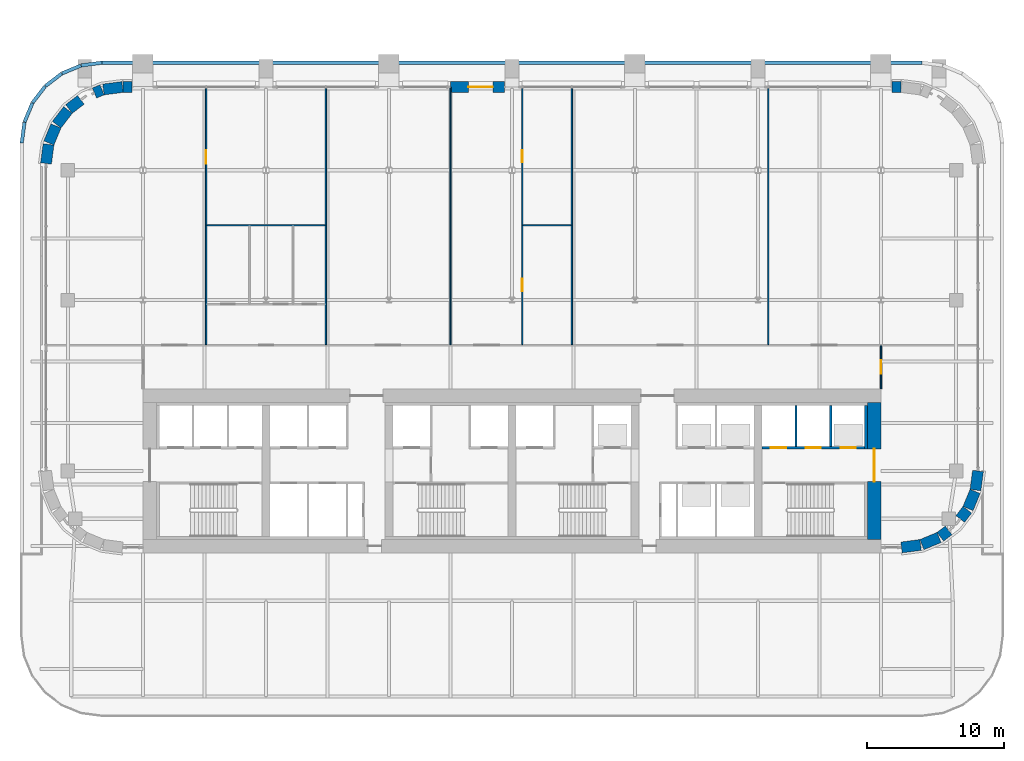
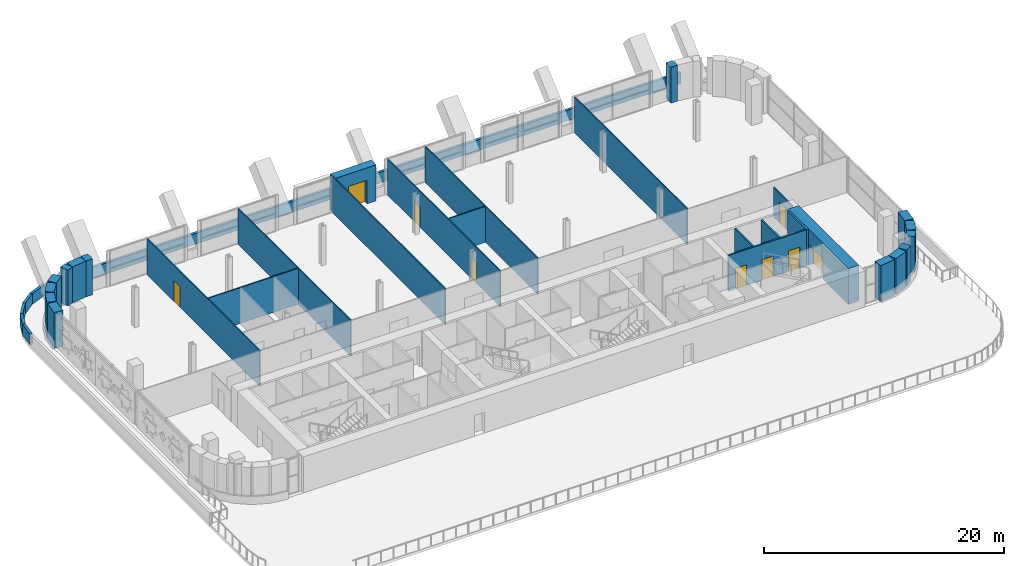
# One storey, part 17 of 26: 36 walls, 9 doors, 9 openings.
"""IFC4 building model written with IfcOpenShell, lengths in metres."""

from ifc_helpers import new_model, si_unit, direction, frame, frame_2d, origin, place, context, subcontext, project, spatial, rectangle, extrude, material, layer, layer_set, type_object, element, fill, save


model = new_model("IFC4")

# Units and contexts
model_context = context("Model", 3, precision=1e-05, world=origin(), true_north=direction((0.0, 1.0)))
body_context = subcontext(model_context, "Body", "Model", "MODEL_VIEW")
ifc_project = project(units=[si_unit("LENGTHUNIT", "METRE"), si_unit("AREAUNIT", "SQUARE_METRE"), si_unit("VOLUMEUNIT", "CUBIC_METRE"), si_unit("PLANEANGLEUNIT", "RADIAN"), si_unit("MASSUNIT", "GRAM", prefix="KILO")], contexts=[model_context])

# Site, building, storey
site_placement = place(None, origin())
site = spatial("IfcSite", under=ifc_project, at=site_placement, CompositionType="ELEMENT")
building_placement = place(site_placement, origin())
building = spatial("IfcBuilding", under=site, at=building_placement, Name="Zellij Exchange Tower", CompositionType="ELEMENT")
storey_placement = place(building_placement, frame((0.0, 0.0, 156.5)))
storey = spatial("IfcBuildingStorey", under=building, at=storey_placement, Name="L35", CompositionType="ELEMENT", Elevation=156.5)

# Walls
ifc_material_1 = material(Name="Concrete C30/37", Category="concrete")
ifc_layer_1 = layer(ifc_material_1, 0.199951171875)
ifc_layer_set_1 = layer_set([ifc_layer_1], Name="Concrete C30/37")
wall_type_1 = type_object("IfcWallType", Name="CORE-LW 200 C30/37", PredefinedType="SHEAR", material=ifc_layer_set_1)
wall_1_placement = place(storey_placement, frame((25.89990234375, -6.375, 0.0), z_axis=(0.0, 0.0, 1.0), x_axis=(0.0, 1.0, 0.0)))
element("IfcWall", 1, at=wall_1_placement, inside=storey, type_object=wall_type_1, Name="Core wall lining end e.1 L35", PredefinedType="SHEAR", context=body_context, shape_type="SweptSolid", body=[
    extrude(rectangle(XDim=3.175048828125, YDim=0.199951171875, at=frame_2d((1.58740234375, 0.0))), origin(), (0.0, 0.0, 1.0), 3.64990234375),
])
ifc_material_2 = material(Name="Gypsum shaft wall system")
ifc_layer_2 = layer(ifc_material_2, 0.14990234375)
ifc_layer_set_2 = layer_set([ifc_layer_2], Name="Gypsum shaft wall system")
wall_type_2 = type_object("IfcWallType", Name="CORE-PW 150 Lift shaft wall", PredefinedType="PARTITIONING", material=ifc_layer_set_2)
for number, where, z_axis, x_axis, name in (
    (2, (20.77490234375, -6.22509765625, 0.0), (0.0, 0.0, 1.0), (0.0, 1.0, 0.0), "Lift shaft wall L35"),
    (3, (23.324951171875, -6.22509765625, 0.0), (0.0, 0.0, 1.0), (0.0, 1.0, 0.0), "Lift shaft wall L35"),
):
    element("IfcWall", number, at=place(storey_placement, frame(where, z_axis=z_axis, x_axis=x_axis)), inside=storey, type_object=wall_type_2, Name=name, PredefinedType="PARTITIONING", context=body_context, shape_type="SweptSolid", body=[
        extrude(rectangle(XDim=3.025146484375, YDim=0.14990234375, at=frame_2d((1.5126953125, 0.0))), origin(), (0.0, 0.0, 1.0), 3.64990234375),
    ])

# Wall, openings, doors
wall_2_placement = place(storey_placement, frame((18.300048828125, -6.300048828125, 0.0), z_axis=(0.0, 0.0, 1.0), x_axis=(1.0, 0.0, 0.0)))
wall_2 = element("IfcWall", 4, at=wall_2_placement, inside=storey, type_object=wall_type_2, Name="Lift shaft wall L35", PredefinedType="PARTITIONING", context=body_context, shape_type="SweptSolid", body=[
    extrude(rectangle(XDim=7.5, YDim=0.14990234375, at=frame_2d((3.75, 0.0))), origin(), (0.0, 0.0, 1.0), 3.64990234375),
])
opening_1_placement = place(wall_2_placement, frame((0.64990234375, 0.0, 0.0)))
opening_1 = element("IfcOpeningElement", 5, at=opening_1_placement, cuts=wall_2, Name="Opening CA-19.29", PredefinedType="OPENING", context=body_context, shape_type="SweptSolid", body=[
    extrude(rectangle(XDim=1.10009765625, YDim=2.10009765625, at=frame_2d((0.550048828125, 1.050048828125))), frame((0.0, 0.0869140625, 0.0), z_axis=(0.0, -1.0, 0.0), x_axis=(1.0, 0.0, 0.0)), (0.0, 0.0, 1.0), 0.173828125),
])
opening_2_placement = place(wall_2_placement, frame((3.199951171875, 0.0, 0.0)))
opening_2 = element("IfcOpeningElement", 6, at=opening_2_placement, cuts=wall_2, Name="Opening CA-19.30", PredefinedType="OPENING", context=body_context, shape_type="SweptSolid", body=[
    extrude(rectangle(XDim=1.10009765625, YDim=2.10009765625, at=frame_2d((0.550048828125, 1.050048828125))), frame((0.0, 0.0869140625, 0.0), z_axis=(0.0, -1.0, 0.0), x_axis=(1.0, 0.0, 0.0)), (0.0, 0.0, 1.0), 0.173828125),
])
opening_3_placement = place(wall_2_placement, frame((5.75, 0.0, 0.0)))
opening_3 = element("IfcOpeningElement", 7, at=opening_3_placement, cuts=wall_2, Name="Opening CA-19.31", PredefinedType="OPENING", context=body_context, shape_type="SweptSolid", body=[
    extrude(rectangle(XDim=1.10009765625, YDim=2.10009765625, at=frame_2d((0.550048828125, 1.050048828125))), frame((0.0, 0.0869140625, 0.0), z_axis=(0.0, -1.0, 0.0), x_axis=(1.0, 0.0, 0.0)), (0.0, 0.0, 1.0), 0.173828125),
])
ifc_material_3 = material(Name="Hollow metal fire door")
door_type_1 = type_object("IfcDoorType", Name="CORE-D LD Lift landing door 1100x2100 1.5 HR", OperationType="NOTDEFINED", PredefinedType="DOOR", material=ifc_material_3)
door_1_placement = place(opening_1_placement, origin())
door_1 = element("IfcDoor", 8, at=door_1_placement, inside=storey, type_object=door_type_1, Name="Lift landing door CA-19.29", OperationType="SLIDING_TO_LEFT", OverallHeight=2.10009765625, OverallWidth=1.10009765625, PredefinedType="DOOR", context=body_context, shape_type="SweptSolid", body=[
    extrude(rectangle(XDim=1.10009765625, YDim=2.10009765625, at=frame_2d((0.550048828125, 1.050048828125))), frame((0.0, 0.02490234375, 0.0), z_axis=(0.0, -1.0, 0.0), x_axis=(1.0, 0.0, 0.0)), (0.0, 0.0, 1.0), 0.050048828125),
])
fill(opening_1, door_1)
door_2_placement = place(opening_2_placement, origin())
door_2 = element("IfcDoor", 9, at=door_2_placement, inside=storey, type_object=door_type_1, Name="Lift landing door CA-19.30", OperationType="SLIDING_TO_RIGHT", OverallHeight=2.10009765625, OverallWidth=1.10009765625, PredefinedType="DOOR", context=body_context, shape_type="SweptSolid", body=[
    extrude(rectangle(XDim=1.10009765625, YDim=2.10009765625, at=frame_2d((0.550048828125, 1.050048828125))), frame((0.0, 0.02490234375, 0.0), z_axis=(0.0, -1.0, 0.0), x_axis=(1.0, 0.0, 0.0)), (0.0, 0.0, 1.0), 0.050048828125),
])
fill(opening_2, door_2)
door_3_placement = place(opening_3_placement, origin())
door_3 = element("IfcDoor", 10, at=door_3_placement, inside=storey, type_object=door_type_1, Name="Lift landing door CA-19.31", OperationType="SLIDING_TO_LEFT", OverallHeight=2.10009765625, OverallWidth=1.10009765625, PredefinedType="DOOR", context=body_context, shape_type="SweptSolid", body=[
    extrude(rectangle(XDim=1.10009765625, YDim=2.10009765625, at=frame_2d((0.550048828125, 1.050048828125))), frame((0.0, 0.02490234375, 0.0), z_axis=(0.0, -1.0, 0.0), x_axis=(1.0, 0.0, 0.0)), (0.0, 0.0, 1.0), 0.050048828125),
])
fill(opening_3, door_3)

# Wall, opening, door
ifc_material_4 = material(Name="Concrete C70/85", Category="concrete")
ifc_layer_3 = layer(ifc_material_4, 1.0)
ifc_layer_set_3 = layer_set([ifc_layer_3], Name="Concrete C70/85")
wall_type_3 = type_object("IfcWallType", Name="CORE-SW 1000 C70/85", PredefinedType="SHEAR", material=ifc_layer_set_3)
wall_3_placement = place(storey_placement, frame((26.5, -13.0, 0.0), z_axis=(0.0, 0.0, 1.0), x_axis=(0.0, 1.0, 0.0)))
wall_3 = element("IfcWall", 11, at=wall_3_placement, inside=storey, type_object=wall_type_3, Name="Core shear wall end e L35", PredefinedType="SHEAR", context=body_context, shape_type="SweptSolid", body=[
    extrude(rectangle(XDim=10.0, YDim=1.0, at=frame_2d((5.0, 0.0))), origin(), (0.0, 0.0, 1.0), 3.64990234375),
])
opening_4_placement = place(wall_3_placement, frame((4.2119140625, 0.0, 0.0)))
opening_4 = element("IfcOpeningElement", 12, at=opening_4_placement, cuts=wall_3, Name="Opening CA-19.32", PredefinedType="OPENING", context=body_context, shape_type="SweptSolid", body=[
    extrude(rectangle(XDim=2.39990234375, YDim=2.10009765625, at=frame_2d((1.199951171875, 1.050048828125))), frame((0.0, 0.511962890625, 0.0), z_axis=(0.0, -1.0, 0.0), x_axis=(1.0, 0.0, 0.0)), (0.0, 0.0, 1.0), 1.02392578125),
])
door_type_2 = type_object("IfcDoorType", Name="CORE-D CE Core entrance door 2400x2100 20 MIN", OperationType="NOTDEFINED", PredefinedType="DOOR", material=ifc_material_3)
door_4_placement = place(opening_4_placement, origin())
door_4 = element("IfcDoor", 13, at=door_4_placement, inside=storey, type_object=door_type_2, Name="Core entrance door CA-19.32", OperationType="DOUBLE_DOOR_SINGLE_SWING", OverallHeight=2.10009765625, OverallWidth=2.39990234375, PredefinedType="DOOR", context=body_context, shape_type="SweptSolid", body=[
    extrude(rectangle(XDim=2.39990234375, YDim=2.10009765625, at=frame_2d((1.199951171875, 1.050048828125))), frame((0.0, 0.02490234375, 0.0), z_axis=(0.0, -1.0, 0.0), x_axis=(1.0, 0.0, 0.0)), (0.0, 0.0, 1.0), 0.050048828125),
])
fill(opening_4, door_4)

# Walls
ifc_material_5 = material(Name="Precast concrete C40/50", Category="concrete")
ifc_layer_4 = layer(ifc_material_5, 0.800048828125)
ifc_layer_set_4 = layer_set([ifc_layer_4], Name="Precast concrete C40/50")
wall_type_4 = type_object("IfcWallType", Name="ENV-EW1 Precast stone-piered wall 800", PredefinedType="SOLIDWALL", material=ifc_layer_set_4)
wall_4_placement = place(storey_placement, frame((28.499755859375, -13.5966796875, 0.0), z_axis=(0.0, 0.0, 1.0), x_axis=(0.99144603414, 0.130517283865, 0.0)))
element("IfcWall", 14, at=wall_4_placement, inside=storey, type_object=wall_type_4, Name="fac.L35.01", PredefinedType="SOLIDWALL", context=body_context, shape_type="SweptSolid", body=[
    extrude(rectangle(XDim=1.408447265625, YDim=0.800048828125, at=frame_2d((0.7041015625, 0.0))), origin(), (0.0, 0.0, 1.0), 3.64990234375),
])
wall_5_placement = place(storey_placement, frame((29.997314453125, -13.3857421875, 0.0), z_axis=(0.0, 0.0, 1.0), x_axis=(0.923847774587, 0.38276009378, 0.0)))
element("IfcWall", 15, at=wall_5_placement, inside=storey, type_object=wall_type_4, Name="fac.L35.02", PredefinedType="SOLIDWALL", context=body_context, shape_type="SweptSolid", body=[
    extrude(rectangle(XDim=1.35546875, YDim=0.800048828125, at=frame_2d((0.677734375, 0.0))), origin(), (0.0, 0.0, 1.0), 3.64990234375),
])
wall_6_placement = place(storey_placement, frame((31.340087890625, -12.814697265625, 0.0), z_axis=(0.0, 0.0, 1.0), x_axis=(0.793380840338, 0.608725588574, 0.0)))
element("IfcWall", 16, at=wall_6_placement, inside=storey, type_object=wall_type_4, Name="fac.L35.03", PredefinedType="SOLIDWALL", context=body_context, shape_type="SweptSolid", body=[
    extrude(rectangle(XDim=0.766845703125, YDim=0.800048828125, at=frame_2d((0.38330078125, 0.0))), origin(), (0.0, 0.0, 1.0), 3.64990234375),
])
wall_7_placement = place(storey_placement, frame((32.7978515625, -11.513671875, 0.0), z_axis=(0.0, 0.0, 1.0), x_axis=(0.608751445631, 0.793361000707, 0.0)))
element("IfcWall", 17, at=wall_7_placement, inside=storey, type_object=wall_type_4, Name="fac.L35.04", PredefinedType="SOLIDWALL", context=body_context, shape_type="SweptSolid", body=[
    extrude(rectangle(XDim=0.84912109375, YDim=0.800048828125, at=frame_2d((0.424560546875, 0.0))), origin(), (0.0, 0.0, 1.0), 3.64990234375),
])
wall_8_placement = place(storey_placement, frame((33.366943359375, -10.74951171875, 0.0), z_axis=(0.0, 0.0, 1.0), x_axis=(0.38276009378, 0.923847774587, 0.0)))
element("IfcWall", 18, at=wall_8_placement, inside=storey, type_object=wall_type_4, Name="fac.L35.05", PredefinedType="SOLIDWALL", context=body_context, shape_type="SweptSolid", body=[
    extrude(rectangle(XDim=1.35546875, YDim=0.800048828125, at=frame_2d((0.677734375, 0.0))), origin(), (0.0, 0.0, 1.0), 3.64990234375),
])
wall_9_placement = place(storey_placement, frame((33.912841796875, -9.396240234375, 0.0), z_axis=(0.0, 0.0, 1.0), x_axis=(0.130517283865, 0.99144603414, 0.0)))
element("IfcWall", 19, at=wall_9_placement, inside=storey, type_object=wall_type_4, Name="fac.L35.06", PredefinedType="SOLIDWALL", context=body_context, shape_type="SweptSolid", body=[
    extrude(rectangle(XDim=1.408447265625, YDim=0.800048828125, at=frame_2d((0.7041015625, 0.0))), origin(), (0.0, 0.0, 1.0), 3.64990234375),
])
wall_10_placement = place(storey_placement, frame((28.447509765625, 20.10009765625, 0.0), z_axis=(0.0, 0.0, 1.0), x_axis=(-1.0, 0.0, 0.0)))
element("IfcWall", 20, at=wall_10_placement, inside=storey, type_object=wall_type_4, Name="fac.L35.14a", PredefinedType="SOLIDWALL", context=body_context, shape_type="SweptSolid", body=[
    extrude(rectangle(XDim=0.6474609375, YDim=0.800048828125, at=frame_2d((0.32373046875, 0.0))), origin(), (0.0, 0.0, 1.0), 3.64990234375),
])

# Wall, opening, door
wall_11_placement = place(storey_placement, frame((-0.550048828125, 20.10009765625, 0.0), z_axis=(0.0, 0.0, 1.0), x_axis=(-1.0, 0.0, 0.0)))
wall_11 = element("IfcWall", 21, at=wall_11_placement, inside=storey, type_object=wall_type_4, Name="fac.L35.14f", PredefinedType="SOLIDWALL", context=body_context, shape_type="SweptSolid", body=[
    extrude(rectangle(XDim=3.949951171875, YDim=0.800048828125, at=frame_2d((1.97509765625, 0.0))), origin(), (0.0, 0.0, 1.0), 3.64990234375),
])
opening_5_placement = place(wall_11_placement, frame((0.85009765625, 0.0, 0.0)))
opening_5 = element("IfcOpeningElement", 22, at=opening_5_placement, cuts=wall_11, Name="Opening FT2.15", PredefinedType="OPENING", context=body_context, shape_type="SweptSolid", body=[
    extrude(rectangle(XDim=1.800048828125, YDim=2.39990234375, at=frame_2d((0.89990234375, 1.199951171875))), frame((0.0, 0.412109375, 0.0), z_axis=(0.0, -1.0, 0.0), x_axis=(1.0, 0.0, 0.0)), (0.0, 0.0, 1.0), 0.823974609375),
])
ifc_material_6 = material(Name="Aluminium and glass terrace door", Category="aluminium")
door_type_3 = type_object("IfcDoorType", Name="ENV-ED5 Terrace door 1800x2400", OperationType="DOUBLE_DOOR_SINGLE_SWING", PredefinedType="DOOR", material=ifc_material_6)
door_5_placement = place(opening_5_placement, origin())
door_5 = element("IfcDoor", 23, at=door_5_placement, inside=storey, type_object=door_type_3, Name="Terrace door FT2.15", OperationType="DOUBLE_DOOR_SINGLE_SWING", OverallHeight=2.39990234375, OverallWidth=1.800048828125, PredefinedType="DOOR", context=body_context, shape_type="SweptSolid", body=[
    extrude(rectangle(XDim=1.800048828125, YDim=2.39990234375, at=frame_2d((0.89990234375, 1.199951171875))), frame((0.0, 0.02490234375, 0.0), z_axis=(0.0, -1.0, 0.0), x_axis=(1.0, 0.0, 0.0)), (0.0, 0.0, 1.0), 0.050048828125),
])
fill(opening_5, door_5)

# Walls
wall_12_placement = place(storey_placement, frame((-27.800048828125, 20.10009765625, 0.0), z_axis=(0.0, 0.0, 1.0), x_axis=(-1.0, 0.0, 0.0)))
element("IfcWall", 24, at=wall_12_placement, inside=storey, type_object=wall_type_4, Name="fac.L35.14j", PredefinedType="SOLIDWALL", context=body_context, shape_type="SweptSolid", body=[
    extrude(rectangle(XDim=0.6474609375, YDim=0.800048828125, at=frame_2d((0.32373046875, 0.0))), origin(), (0.0, 0.0, 1.0), 3.64990234375),
])
wall_13_placement = place(storey_placement, frame((-28.499755859375, 20.0966796875, 0.0), z_axis=(0.0, 0.0, 1.0), x_axis=(-0.99144603414, -0.130517283865, 0.0)))
element("IfcWall", 25, at=wall_13_placement, inside=storey, type_object=wall_type_4, Name="fac.L35.15", PredefinedType="SOLIDWALL", context=body_context, shape_type="SweptSolid", body=[
    extrude(rectangle(XDim=1.408447265625, YDim=0.800048828125, at=frame_2d((0.7041015625, 0.0))), origin(), (0.0, 0.0, 1.0), 3.64990234375),
])
wall_14_placement = place(storey_placement, frame((-29.997314453125, 19.8857421875, 0.0), z_axis=(0.0, 0.0, 1.0), x_axis=(-0.923882723383, -0.382675728829, 0.0)))
element("IfcWall", 26, at=wall_14_placement, inside=storey, type_object=wall_type_4, Name="fac.L35.16", PredefinedType="SOLIDWALL", context=body_context, shape_type="SweptSolid", body=[
    extrude(rectangle(XDim=0.59912109375, YDim=0.800048828125, at=frame_2d((0.299560546875, 0.0))), origin(), (0.0, 0.0, 1.0), 3.64990234375),
])
wall_15_placement = place(storey_placement, frame((-31.548095703125, 19.155029296875, 0.0), z_axis=(0.0, 0.0, 1.0), x_axis=(-0.793279231512, -0.60885799728, 0.0)))
element("IfcWall", 27, at=wall_15_placement, inside=storey, type_object=wall_type_4, Name="fac.L35.17", PredefinedType="SOLIDWALL", context=body_context, shape_type="SweptSolid", body=[
    extrude(rectangle(XDim=1.093505859375, YDim=0.800048828125, at=frame_2d((0.546875, 0.0))), origin(), (0.0, 0.0, 1.0), 3.64990234375),
])
wall_16_placement = place(storey_placement, frame((-32.4892578125, 18.41552734375, 0.0), z_axis=(0.0, 0.0, 1.0), x_axis=(-0.608866226366, -0.793272915452, 0.0)))
element("IfcWall", 28, at=wall_16_placement, inside=storey, type_object=wall_type_4, Name="fac.L35.18", PredefinedType="SOLIDWALL", context=body_context, shape_type="SweptSolid", body=[
    extrude(rectangle(XDim=1.355712890625, YDim=0.800048828125, at=frame_2d((0.677734375, 0.0))), origin(), (0.0, 0.0, 1.0), 3.64990234375),
])
wall_17_placement = place(storey_placement, frame((-33.366943359375, 17.24951171875, 0.0), z_axis=(0.0, 0.0, 1.0), x_axis=(-0.38276009378, -0.923847774587, 0.0)))
element("IfcWall", 29, at=wall_17_placement, inside=storey, type_object=wall_type_4, Name="fac.L35.19", PredefinedType="SOLIDWALL", context=body_context, shape_type="SweptSolid", body=[
    extrude(rectangle(XDim=1.35546875, YDim=0.800048828125, at=frame_2d((0.677734375, 0.0))), origin(), (0.0, 0.0, 1.0), 3.64990234375),
])
wall_18_placement = place(storey_placement, frame((-33.912841796875, 15.896240234375, 0.0), z_axis=(0.0, 0.0, 1.0), x_axis=(-0.130517283865, -0.99144603414, 0.0)))
element("IfcWall", 30, at=wall_18_placement, inside=storey, type_object=wall_type_4, Name="fac.L35.20", PredefinedType="SOLIDWALL", context=body_context, shape_type="SweptSolid", body=[
    extrude(rectangle(XDim=1.408447265625, YDim=0.800048828125, at=frame_2d((0.7041015625, 0.0))), origin(), (0.0, 0.0, 1.0), 3.64990234375),
])
ifc_layer_5 = layer(ifc_material_5, 0.25)
ifc_layer_set_5 = layer_set([ifc_layer_5], Name="Precast concrete C40/50")
wall_type_5 = type_object("IfcWallType", Name="ENV-PR1 Parapet 250", PredefinedType="PARAPET", material=ifc_layer_set_5)
wall_19_placement = place(storey_placement, frame((29.983642578125, 21.875, 0.0), z_axis=(0.0, 0.0, 1.0), x_axis=(-1.0, 0.0, 0.0)))
element("IfcWall", 31, at=wall_19_placement, inside=storey, type_object=wall_type_5, Name="fac.par.L35.02.01.08", PredefinedType="PARAPET", context=body_context, shape_type="SweptSolid", body=[
    extrude(rectangle(XDim=59.96728515625, YDim=0.25, at=frame_2d((29.983642578125, 0.0))), origin(), (0.0, 0.0, 1.0), 1.10009765625),
])
wall_20_placement = place(storey_placement, frame((-30.0, 21.873779296875, 0.0), z_axis=(0.0, 0.0, 1.0), x_axis=(-0.991465248625, -0.130371242108, 0.0)))
element("IfcWall", 32, at=wall_20_placement, inside=storey, type_object=wall_type_5, Name="fac.par.L35.02.01.09", PredefinedType="PARAPET", context=body_context, shape_type="SweptSolid", body=[
    extrude(rectangle(XDim=1.516845703125, YDim=0.25, at=frame_2d((0.75830078125, 0.0))), origin(), (0.0, 0.0, 1.0), 1.10009765625),
])
for number, where, z_axis, x_axis, name in (
    (33, (-31.535400390625, 21.66748046875, 0.0), (0.0, 0.0, 1.0), (-0.923874044744, -0.382696680739, 0.0), "fac.par.L35.02.01.10"),
    (34, (-32.949951171875, 21.076904296875, 0.0), (0.0, 0.0, 1.0), (-0.793391561776, -0.608711614562, 0.0), "fac.par.L35.02.01.11"),
    (35, (-34.16357421875, 20.140380859375, 0.0), (0.0, 0.0, 1.0), (-0.608711614562, -0.793391561776, 0.0), "fac.par.L35.02.01.12"),
    (36, (-35.09326171875, 18.921630859375, 0.0), (0.0, 0.0, 1.0), (-0.382696680739, -0.923874044744, 0.0), "fac.par.L35.02.01.13"),
):
    element("IfcWall", number, at=place(storey_placement, frame(where, z_axis=z_axis, x_axis=x_axis)), inside=storey, type_object=wall_type_5, Name=name, PredefinedType="PARAPET", context=body_context, shape_type="SweptSolid", body=[
        extrude(rectangle(XDim=1.50048828125, YDim=0.25, at=frame_2d((0.750244140625, 0.0))), origin(), (0.0, 0.0, 1.0), 1.10009765625),
    ])
wall_21_placement = place(storey_placement, frame((-35.676025390625, 17.50390625, 0.0), z_axis=(0.0, 0.0, 1.0), x_axis=(-0.130371242108, -0.991465248625, 0.0)))
element("IfcWall", 37, at=wall_21_placement, inside=storey, type_object=wall_type_5, Name="fac.par.L35.02.01.14", PredefinedType="PARAPET", context=body_context, shape_type="SweptSolid", body=[
    extrude(rectangle(XDim=1.516845703125, YDim=0.25, at=frame_2d((0.75830078125, 0.0))), origin(), (0.0, 0.0, 1.0), 1.10009765625),
])

# Wall, opening, door
ifc_material_7 = material(Name="Gypsum board partition on steel studs", Category="steel")
ifc_layer_6 = layer(ifc_material_7, 0.10009765625)
ifc_layer_set_6 = layer_set([ifc_layer_6], Name="Gypsum board partition on steel studs")
wall_type_6 = type_object("IfcWallType", Name="FIT-PARTITION-100", PredefinedType="PARTITIONING", material=ifc_layer_set_6)
wall_22_placement = place(storey_placement, frame((27.0, -2.0, 0.0), z_axis=(0.0, 0.0, 1.0), x_axis=(0.0, 1.0, 0.0)))
wall_22 = element("IfcWall", 38, at=wall_22_placement, inside=storey, type_object=wall_type_6, Name="FIT-PARTITION-100 002", PredefinedType="PARTITIONING", context=body_context, shape_type="SweptSolid", body=[
    extrude(rectangle(XDim=3.14990234375, YDim=0.10009765625, at=frame_2d((1.574951171875, 0.0))), origin(), (0.0, 0.0, 1.0), 3.0380859375),
])
opening_6_placement = place(wall_22_placement, frame((1.10009765625, 0.0, 0.0)))
opening_6 = element("IfcOpeningElement", 39, at=opening_6_placement, cuts=wall_22, Name="Opening SL2.02", PredefinedType="OPENING", context=body_context, shape_type="SweptSolid", body=[
    extrude(rectangle(XDim=1.0, YDim=2.10009765625, at=frame_2d((0.5, 1.050048828125))), frame((0.0, 0.06201171875, 0.0), z_axis=(0.0, -1.0, 0.0), x_axis=(1.0, 0.0, 0.0)), (0.0, 0.0, 1.0), 0.1240234375),
])
ifc_material_8 = material(Name="Timber door set", Category="wood")
door_type_4 = type_object("IfcDoorType", Name="FIT-D2-WIDE-1000X2100", OperationType="SINGLE_SWING_LEFT", PredefinedType="DOOR", material=ifc_material_8)
door_6_placement = place(opening_6_placement, origin())
door_6 = element("IfcDoor", 40, at=door_6_placement, inside=storey, type_object=door_type_4, Name="Door SL2.02", OperationType="SINGLE_SWING_LEFT", OverallHeight=2.10009765625, OverallWidth=1.0, PredefinedType="DOOR", context=body_context, shape_type="SweptSolid", body=[
    extrude(rectangle(XDim=1.0, YDim=2.10009765625, at=frame_2d((0.5, 1.050048828125))), frame((0.0, 0.02490234375, 0.0), z_axis=(0.0, -1.0, 0.0), x_axis=(1.0, 0.0, 0.0)), (0.0, 0.0, 1.0), 0.050048828125),
])
fill(opening_6, door_6)

wall_23_placement = place(storey_placement, frame((-22.3798828125, 1.25, 0.0), z_axis=(0.0, 0.0, 1.0), x_axis=(0.0, 1.0, 0.0)))
wall_23 = element("IfcWall", 41, at=wall_23_placement, inside=storey, type_object=wall_type_6, Name="FIT-PARTITION-100 004", PredefinedType="PARTITIONING", context=body_context, shape_type="SweptSolid", body=[
    extrude(rectangle(XDim=18.72998046875, YDim=0.10009765625, at=frame_2d((9.364990234375, 0.0))), origin(), (0.0, 0.0, 1.0), 3.64990234375),
])
opening_7_placement = place(wall_23_placement, frame((13.22998046875, 0.0, 0.0)))
opening_7 = element("IfcOpeningElement", 42, at=opening_7_placement, cuts=wall_23, Name="Opening SL2.13", PredefinedType="OPENING", context=body_context, shape_type="SweptSolid", body=[
    extrude(rectangle(XDim=1.0, YDim=2.10009765625, at=frame_2d((0.5, 1.050048828125))), frame((0.0, 0.06201171875, 0.0), z_axis=(0.0, -1.0, 0.0), x_axis=(1.0, 0.0, 0.0)), (0.0, 0.0, 1.0), 0.1240234375),
])
door_7_placement = place(opening_7_placement, origin())
door_7 = element("IfcDoor", 43, at=door_7_placement, inside=storey, type_object=door_type_4, Name="Door SL2.13", OperationType="SINGLE_SWING_LEFT", OverallHeight=2.10009765625, OverallWidth=1.0, PredefinedType="DOOR", context=body_context, shape_type="SweptSolid", body=[
    extrude(rectangle(XDim=1.0, YDim=2.10009765625, at=frame_2d((0.5, 1.050048828125))), frame((0.0, 0.02490234375, 0.0), z_axis=(0.0, -1.0, 0.0), x_axis=(1.0, 0.0, 0.0)), (0.0, 0.0, 1.0), 0.050048828125),
])
fill(opening_7, door_7)

# Walls
wall_24_placement = place(storey_placement, frame((-13.6201171875, 1.25, 0.0), z_axis=(0.0, 0.0, 1.0), x_axis=(0.0, 1.0, 0.0)))
element("IfcWall", 44, at=wall_24_placement, inside=storey, type_object=wall_type_6, Name="FIT-PARTITION-100 005", PredefinedType="PARTITIONING", context=body_context, shape_type="SweptSolid", body=[
    extrude(rectangle(XDim=18.72998046875, YDim=0.10009765625, at=frame_2d((9.364990234375, 0.0))), origin(), (0.0, 0.0, 1.0), 3.64990234375),
])
wall_25_placement = place(storey_placement, frame((-4.5, 1.25, 0.0), z_axis=(0.0, 0.0, 1.0), x_axis=(0.0, 1.0, 0.0)))
element("IfcWall", 45, at=wall_25_placement, inside=storey, type_object=wall_type_6, Name="FIT-PARTITION-100 006", PredefinedType="PARTITIONING", context=body_context, shape_type="SweptSolid", body=[
    extrude(rectangle(XDim=18.820068359375, YDim=0.10009765625, at=frame_2d((9.41015625, 0.0))), origin(), (0.0, 0.0, 1.0), 3.64990234375),
])

# Wall, openings, doors
wall_26_placement = place(storey_placement, frame((0.75, 1.25, 0.0), z_axis=(0.0, 0.0, 1.0), x_axis=(0.0, 1.0, 0.0)))
wall_26 = element("IfcWall", 46, at=wall_26_placement, inside=storey, type_object=wall_type_6, Name="FIT-PARTITION-100 007", PredefinedType="PARTITIONING", context=body_context, shape_type="SweptSolid", body=[
    extrude(rectangle(XDim=18.72998046875, YDim=0.10009765625, at=frame_2d((9.364990234375, 0.0))), origin(), (0.0, 0.0, 1.0), 3.64990234375),
])
opening_8_placement = place(wall_26_placement, frame((3.89990234375, 0.0, 0.0)))
opening_8 = element("IfcOpeningElement", 47, at=opening_8_placement, cuts=wall_26, Name="Opening SL2.12", PredefinedType="OPENING", context=body_context, shape_type="SweptSolid", body=[
    extrude(rectangle(XDim=0.89990234375, YDim=2.10009765625, at=frame_2d((0.449951171875, 1.050048828125))), frame((0.0, 0.06201171875, 0.0), z_axis=(0.0, -1.0, 0.0), x_axis=(1.0, 0.0, 0.0)), (0.0, 0.0, 1.0), 0.1240234375),
])
opening_9_placement = place(wall_26_placement, frame((13.330078125, 0.0, 0.0)))
opening_9 = element("IfcOpeningElement", 48, at=opening_9_placement, cuts=wall_26, Name="Opening SL2.14", PredefinedType="OPENING", context=body_context, shape_type="SweptSolid", body=[
    extrude(rectangle(XDim=0.89990234375, YDim=2.10009765625, at=frame_2d((0.449951171875, 1.050048828125))), frame((0.0, 0.06201171875, 0.0), z_axis=(0.0, -1.0, 0.0), x_axis=(1.0, 0.0, 0.0)), (0.0, 0.0, 1.0), 0.1240234375),
])
door_type_5 = type_object("IfcDoorType", Name="FIT-D1-ROOM-900X2100", OperationType="SINGLE_SWING_LEFT", PredefinedType="DOOR", material=ifc_material_8)
door_8_placement = place(opening_8_placement, origin())
door_8 = element("IfcDoor", 49, at=door_8_placement, inside=storey, type_object=door_type_5, Name="Door SL2.12", OperationType="SINGLE_SWING_RIGHT", OverallHeight=2.10009765625, OverallWidth=0.89990234375, PredefinedType="DOOR", context=body_context, shape_type="SweptSolid", body=[
    extrude(rectangle(XDim=0.89990234375, YDim=2.10009765625, at=frame_2d((0.449951171875, 1.050048828125))), frame((0.0, 0.02490234375, 0.0), z_axis=(0.0, -1.0, 0.0), x_axis=(1.0, 0.0, 0.0)), (0.0, 0.0, 1.0), 0.050048828125),
])
fill(opening_8, door_8)
door_9_placement = place(opening_9_placement, origin())
door_9 = element("IfcDoor", 50, at=door_9_placement, inside=storey, type_object=door_type_5, Name="Door SL2.14", OperationType="SINGLE_SWING_RIGHT", OverallHeight=2.10009765625, OverallWidth=0.89990234375, PredefinedType="DOOR", context=body_context, shape_type="SweptSolid", body=[
    extrude(rectangle(XDim=0.89990234375, YDim=2.10009765625, at=frame_2d((0.449951171875, 1.050048828125))), frame((0.0, 0.02490234375, 0.0), z_axis=(0.0, -1.0, 0.0), x_axis=(1.0, 0.0, 0.0)), (0.0, 0.0, 1.0), 0.050048828125),
])
fill(opening_9, door_9)

# Walls
for number, where, z_axis, x_axis, name in (
    (51, (4.3798828125, 1.25, 0.0), (0.0, 0.0, 1.0), (0.0, 1.0, 0.0), "FIT-PARTITION-100 008"),
    (52, (18.75, 1.25, 0.0), (0.0, 0.0, 1.0), (0.0, 1.0, 0.0), "FIT-PARTITION-100 009"),
):
    element("IfcWall", number, at=place(storey_placement, frame(where, z_axis=z_axis, x_axis=x_axis)), inside=storey, type_object=wall_type_6, Name=name, PredefinedType="PARTITIONING", context=body_context, shape_type="SweptSolid", body=[
        extrude(rectangle(XDim=18.72998046875, YDim=0.10009765625, at=frame_2d((9.364990234375, 0.0))), origin(), (0.0, 0.0, 1.0), 3.64990234375),
    ])
wall_27_placement = place(storey_placement, frame((-22.330078125, 9.97998046875, 0.0), z_axis=(0.0, 0.0, 1.0), x_axis=(1.0, 0.0, 0.0)))
element("IfcWall", 53, at=wall_27_placement, inside=storey, type_object=wall_type_6, Name="FIT-PARTITION-100 013", PredefinedType="PARTITIONING", context=body_context, shape_type="SweptSolid", body=[
    extrude(rectangle(XDim=8.66015625, YDim=0.10009765625, at=frame_2d((4.330078125, 0.0))), origin(), (0.0, 0.0, 1.0), 3.64990234375),
])
wall_28_placement = place(storey_placement, frame((0.800048828125, 9.97998046875, 0.0), z_axis=(0.0, 0.0, 1.0), x_axis=(1.0, 0.0, 0.0)))
element("IfcWall", 54, at=wall_28_placement, inside=storey, type_object=wall_type_6, Name="FIT-PARTITION-100 014", PredefinedType="PARTITIONING", context=body_context, shape_type="SweptSolid", body=[
    extrude(rectangle(XDim=3.530029296875, YDim=0.10009765625, at=frame_2d((1.76513671875, 0.0))), origin(), (0.0, 0.0, 1.0), 3.64990234375),
])

save(model, "model.ifc")
